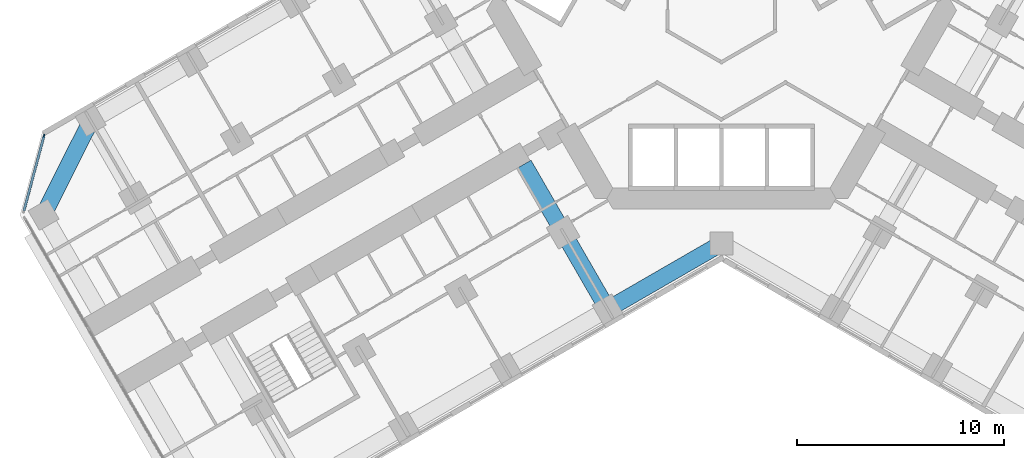
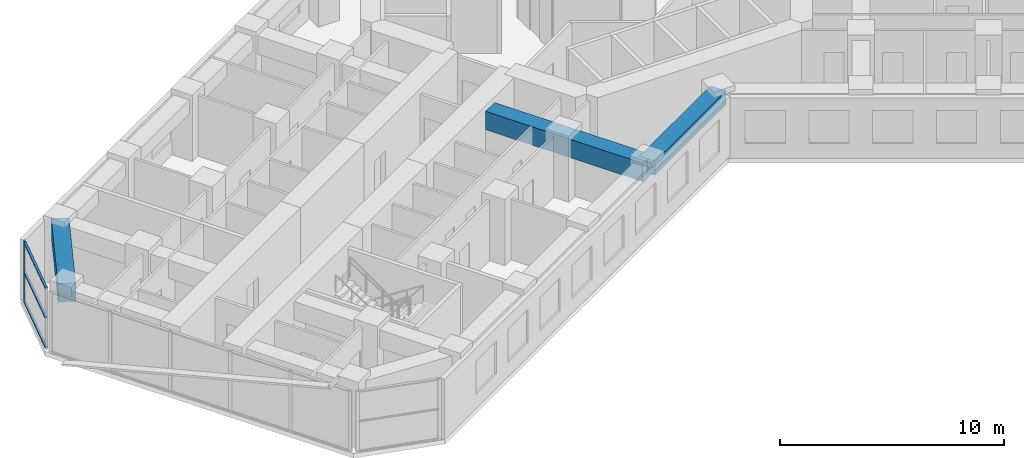
# One storey, part 3 of 21: 4 members, 3 beams, 1 element without a shape of its own.
"""IFC4 building model written with IfcOpenShell, lengths in metres."""

from ifc_helpers import new_model, si_unit, direction, frame, origin, origin_2d, place, context, subcontext, project, spatial, rectangle, extrude, material, material_profile, profile_set, type_object, element, aggregate, save


model = new_model("IFC4")

# Units and contexts
model_context = context("Model", 3, precision=1e-05, world=origin(), true_north=direction((0.0, 1.0)))
body_context = subcontext(model_context, "Body", "Model", "MODEL_VIEW")
ifc_project = project(units=[si_unit("LENGTHUNIT", "METRE"), si_unit("AREAUNIT", "SQUARE_METRE"), si_unit("VOLUMEUNIT", "CUBIC_METRE"), si_unit("PLANEANGLEUNIT", "RADIAN"), si_unit("MASSUNIT", "GRAM", prefix="KILO")], contexts=[model_context])

# Site, building, storey
site_placement = place(None, origin())
site = spatial("IfcSite", under=ifc_project, at=site_placement, CompositionType="ELEMENT")
building_placement = place(site_placement, origin())
building = spatial("IfcBuilding", under=site, at=building_placement, Name="Kosmar Iwan School Tower", CompositionType="ELEMENT")
storey_placement = place(building_placement, frame((0.0, 0.0, 28.800048828125)))
storey = spatial("IfcBuildingStorey", under=building, at=storey_placement, Name="L06", CompositionType="ELEMENT", Elevation=28.800048828125)

# Beams
ifc_material_1 = material(Name="Concrete C50/60", Category="concrete")
ifc_material_profile_1 = material_profile(ifc_material_1, rectangle(XDim=0.800048828125, YDim=0.75, at=origin_2d()), Name="RC 800x750 + HD 400x634")
ifc_profile_set_1 = profile_set([ifc_material_profile_1], Name="Concrete C50/60")
beam_type_1 = type_object("IfcBeamType", Name="Composite edge beam 800x750 HD 400x634", PredefinedType="BEAM", material=ifc_profile_set_1)
beam_1_placement = place(storey_placement, frame((0.0, -11.77783203125, 2.925048828125), z_axis=(-0.866014293216, -0.500019243575, 0.0), x_axis=(0.500019243575, -0.866014293216, 0.0)))
element("IfcBeam", 1, at=beam_1_placement, inside=storey, type_object=beam_type_1, Name="Edge beam BL1", PredefinedType="BEAM", context=body_context, shape_type="SweptSolid", body=[
    extrude(rectangle(XDim=0.800048828125, YDim=0.75, at=origin_2d()), origin(), (0.0, 0.0, 1.0), 6.361083984375),
])
ifc_material_2 = material(Name="Concrete C50/60", Category="concrete")
ifc_material_profile_2 = material_profile(ifc_material_2, rectangle(XDim=0.800048828125, YDim=1.0, at=origin_2d()), Name="RC 800x1000 + HD 400x347")
ifc_profile_set_2 = profile_set([ifc_material_profile_2], Name="Concrete C50/60")
beam_type_2 = type_object("IfcBeamType", Name="Composite tip beam 800x1000 HD 400x347", PredefinedType="BEAM", material=ifc_profile_set_2)
beam_2_placement = place(storey_placement, frame((-30.517822265625, -5.841552734375, 2.800048828125), z_axis=(-0.44809604203, -0.893985423325, 0.0), x_axis=(0.893985423325, -0.44809604203, 0.0)))
element("IfcBeam", 2, at=beam_2_placement, inside=storey, type_object=beam_type_2, Name="Tip beam BR", PredefinedType="BEAM", context=body_context, shape_type="SweptSolid", body=[
    extrude(rectangle(XDim=0.800048828125, YDim=1.0, at=origin_2d()), origin(), (0.0, 0.0, 1.0), 5.08935546875),
])
ifc_material_3 = material(Name="Concrete C50/60", Category="concrete")
ifc_material_profile_3 = material_profile(ifc_material_3, rectangle(XDim=0.800048828125, YDim=1.0, at=origin_2d()), Name="RC 800x1000 + HD 400x634")
ifc_profile_set_3 = profile_set([ifc_material_profile_3], Name="Concrete C50/60")
beam_type_3 = type_object("IfcBeamType", Name="Composite transverse beam 800x1000 HD 400x634", PredefinedType="BEAM", material=ifc_profile_set_3)
beam_3_placement = place(storey_placement, frame((-5.5087890625, -14.95849609375, 2.800048828125), z_axis=(-0.499999880539, 0.866025472755, 0.0), x_axis=(-0.866025472755, -0.499999880539, 0.0)))
element("IfcBeam", 3, at=beam_3_placement, inside=storey, type_object=beam_type_3, Name="Transverse beam BL1", PredefinedType="BEAM", context=body_context, shape_type="SweptSolid", body=[
    extrude(rectangle(XDim=0.800048828125, YDim=1.0, at=origin_2d()), origin(), (0.0, 0.0, 1.0), 8.10009765625),
])

# Curtain wall, members
ifc_material_4 = material(Name="Dark glass in black aluminium frame", Category="aluminium")
curtain_wall_type = type_object("IfcCurtainWallType", Name="Chamfer curtain wall dark glass", PredefinedType="USERDEFINED", material=ifc_material_4)
curtain_wall_placement = place(storey_placement, origin())
curtain_wall = element("IfcCurtainWall", 4, at=curtain_wall_placement, inside=storey, type_object=curtain_wall_type, Name="Curtain wall L06-F12", ObjectType="FACETED CURTAIN WALL", PredefinedType="USERDEFINED")
ifc_material_5 = material(Name="Black anodised aluminium", Category="aluminium")
ifc_material_profile_4 = material_profile(ifc_material_5, rectangle(XDim=0.06005859375, YDim=0.159912109375, at=origin_2d()), Name="MULLION 60x160")
ifc_profile_set_4 = profile_set([ifc_material_profile_4], Name="Black anodised aluminium")
member_type_1 = type_object("IfcMemberType", Name="Mullion 60x160", PredefinedType="MULLION", material=ifc_profile_set_4)
member_1_placement = place(storey_placement, frame((-32.78076171875, -6.5732421875, 0.0), z_axis=(0.0, 0.0, 1.0), x_axis=(0.965925875495, -0.258818861462, 0.0)))
member_1 = element("IfcMember", 5, at=member_1_placement, type_object=member_type_1, Name="CW2 mullion 1", PredefinedType="MULLION", context=body_context, shape_type="SweptSolid", body=[
    extrude(rectangle(XDim=0.06005859375, YDim=0.159912109375, at=origin_2d()), origin(), (0.0, 0.0, 1.0), 3.300048828125),
])
ifc_material_6 = material(Name="Black anodised aluminium", Category="aluminium")
ifc_material_profile_5 = material_profile(ifc_material_6, rectangle(XDim=0.1201171875, YDim=0.06005859375, at=origin_2d()), Name="TRANSOM 60x120")
ifc_profile_set_5 = profile_set([ifc_material_profile_5], Name="Black anodised aluminium")
member_type_2 = type_object("IfcMemberType", Name="Transom 60x120", PredefinedType="USERDEFINED", material=ifc_profile_set_5)
member_2_placement = place(storey_placement, frame((-32.788330078125, -6.602294921875, 0.030029296875), z_axis=(-0.258843273983, -0.965919333854, 0.0), x_axis=(0.965919333854, -0.258843273983, 0.0)))
member_2 = element("IfcMember", 6, at=member_2_placement, type_object=member_type_2, Name="CW2 transom 1.1", ObjectType="TRANSOM", PredefinedType="USERDEFINED", context=body_context, shape_type="SweptSolid", body=[
    extrude(rectangle(XDim=0.1201171875, YDim=0.06005859375, at=origin_2d()), origin(), (0.0, 0.0, 1.0), 3.718994140625),
])
member_3_placement = place(storey_placement, frame((-32.788330078125, -6.602294921875, 1.64990234375), z_axis=(-0.258843273983, -0.965919333854, 0.0), x_axis=(0.965919333854, -0.258843273983, 0.0)))
member_3 = element("IfcMember", 7, at=member_3_placement, type_object=member_type_2, Name="CW2 transom 1.2", ObjectType="TRANSOM", PredefinedType="USERDEFINED", context=body_context, shape_type="SweptSolid", body=[
    extrude(rectangle(XDim=0.1201171875, YDim=0.06005859375, at=origin_2d()), origin(), (0.0, 0.0, 1.0), 3.718994140625),
])
member_4_placement = place(storey_placement, frame((-32.788330078125, -6.602294921875, 3.27001953125), z_axis=(-0.258843273983, -0.965919333854, 0.0), x_axis=(0.965919333854, -0.258843273983, 0.0)))
member_4 = element("IfcMember", 8, at=member_4_placement, type_object=member_type_2, Name="CW2 transom 1.3", ObjectType="TRANSOM", PredefinedType="USERDEFINED", context=body_context, shape_type="SweptSolid", body=[
    extrude(rectangle(XDim=0.1201171875, YDim=0.06005859375, at=origin_2d()), origin(), (0.0, 0.0, 1.0), 3.718994140625),
])
aggregate(curtain_wall, [member_1, member_2, member_3, member_4])

save(model, "model.ifc")
